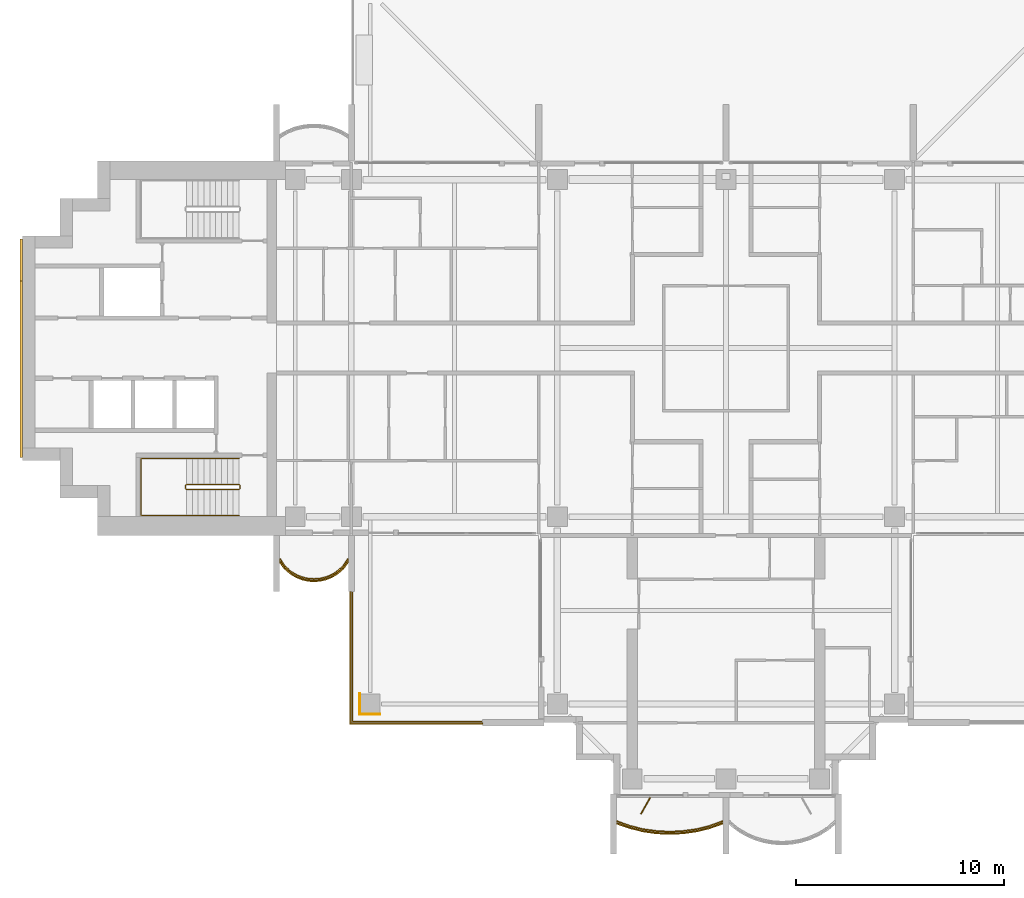
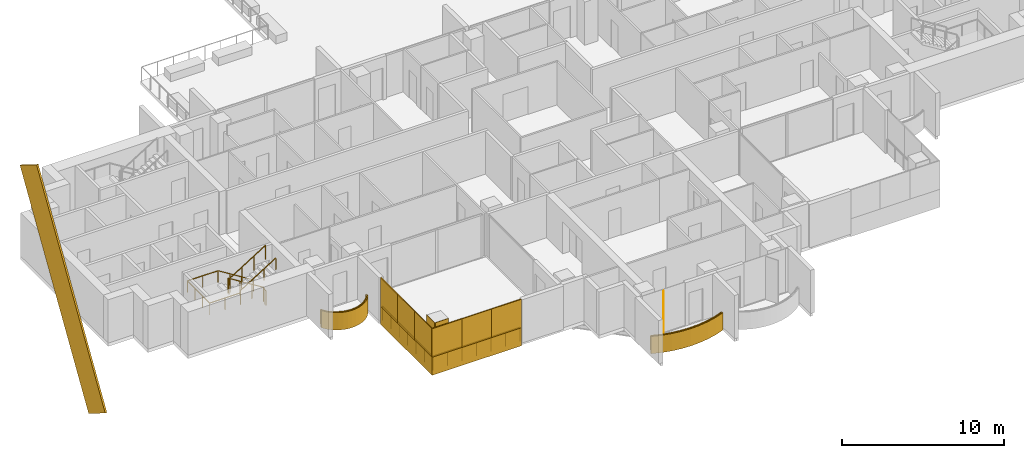
# One storey, part 15 of 18: 12 coverings, 5 railings, 1 shading device.
"""IFC4 building model written with IfcOpenShell, lengths in metres."""

import ifcopenshell
import ifcopenshell.guid

model = None  # the IFC model being written
_history = None  # IfcOwnerHistory: only IFC2X3 demands one
_inside = {}  # id of a spatial element -> (the spatial element, [elements in it])
_under = {}  # id of a project, library or spatial element -> (it, [spatial elements below it])
_declared = {}  # id of a project -> (the project, [libraries it declares])
_typed = {}  # id of a type object -> (the type object, [elements of that type])
_made_of = {}  # id of a material, layer set ... -> (it, [elements and type objects made of it])


def new_model(schema):
    """Start an empty IFC model of exactly this schema.

    Asked for "IFC4X3", IfcOpenShell would pick the latest addendum, in which some entities
    have other attributes; the version numbers below select the first issue.
    IFC2X3 requires an IfcOwnerHistory on every rooted entity: one is made here for all.
    """
    global model, _history
    if schema == "IFC4X3":
        model = ifcopenshell.file(schema_version=(4, 3, 0, 0))
    else:
        model = ifcopenshell.file(schema=schema)
    _inside.clear()
    _under.clear()
    _declared.clear()
    _typed.clear()
    _made_of.clear()
    _history = None
    if model.schema == "IFC2X3":
        org = make("IfcOrganization", Name="unknown")
        user = make(
            "IfcPersonAndOrganization",
            ThePerson=make("IfcPerson", FamilyName="unknown"),
            TheOrganization=org,
        )
        app = make(
            "IfcApplication",
            ApplicationDeveloper=org,
            Version="unknown",
            ApplicationFullName="unknown",
            ApplicationIdentifier="unknown",
        )
        _history = make(
            "IfcOwnerHistory",
            OwningUser=user,
            OwningApplication=app,
            ChangeAction="ADDED",
            CreationDate=0,
        )
    return model


def make(cls, **values):
    """One entity of the class cls with the attributes given. An attribute that is None is left unset."""
    return model.create_entity(
        cls, **{name: value for name, value in values.items() if value is not None}
    )


def rooted(cls, **values):
    """An entity with a GlobalId (a new one), such as an element, a storey or a relation."""
    return make(cls, GlobalId=ifcopenshell.guid.new(), OwnerHistory=_history, **values)


def si_unit(unit_type, name, prefix=None):
    """IfcSIUnit, for example si_unit("LENGTHUNIT", "METRE", prefix="MILLI")."""
    return make("IfcSIUnit", UnitType=unit_type, Prefix=prefix, Name=name)


def assignment(units):
    """IfcUnitAssignment: the units of a project."""
    return None if units is None else make("IfcUnitAssignment", Units=units)


def point(xyz):
    """IfcCartesianPoint."""
    return None if xyz is None else make("IfcCartesianPoint", Coordinates=xyz)


def direction(xyz):
    """IfcDirection."""
    return None if xyz is None else make("IfcDirection", DirectionRatios=xyz)


def frame(location, z_axis=None, x_axis=None):
    """IfcAxis2Placement3D, a coordinate frame: its origin and axes. An axis left out is left unset."""
    return make(
        "IfcAxis2Placement3D",
        Location=point(location),
        Axis=direction(z_axis),
        RefDirection=direction(x_axis),
    )


def frame_2d(location, x_axis=None):
    """IfcAxis2Placement2D, a coordinate frame in the plane: its origin and x axis."""
    return make(
        "IfcAxis2Placement2D", Location=point(location), RefDirection=direction(x_axis)
    )


def origin():
    """The frame at (0, 0, 0) with its axes left unset."""
    return frame((0.0, 0.0, 0.0))


def origin_2d():
    """The frame at (0, 0) in the plane with its x axis left unset."""
    return frame_2d((0.0, 0.0))


def place(relative_to, where):
    """IfcLocalPlacement: puts the frame where relative to a parent placement (None: the world)."""
    return make(
        "IfcLocalPlacement", PlacementRelTo=relative_to, RelativePlacement=where
    )


def context(
    kind, dimensions, precision=None, world=None, true_north=None, identifier=None
):
    """IfcGeometricRepresentationContext, for example the 3D "Model" context."""
    return make(
        "IfcGeometricRepresentationContext",
        ContextIdentifier=identifier,
        ContextType=kind,
        CoordinateSpaceDimension=dimensions,
        Precision=precision,
        WorldCoordinateSystem=world,
        TrueNorth=true_north,
    )


def subcontext(parent, identifier, kind, view, scale=None):
    """IfcGeometricRepresentationSubContext, for example "Body" below "Model"."""
    return make(
        "IfcGeometricRepresentationSubContext",
        ContextIdentifier=identifier,
        ContextType=kind,
        ParentContext=parent,
        TargetScale=scale,
        TargetView=view,
    )


def project(units=None, contexts=None):
    """IfcProject with its units and contexts."""
    return rooted(
        "IfcProject",
        Name="project",
        RepresentationContexts=contexts,
        UnitsInContext=assignment(units),
    )


def spatial(cls, under=None, at=None, **own):
    """A site, building, storey or space (cls), placed at a placement, below another one or the project."""
    s = rooted(cls, ObjectPlacement=at, **own)
    if under is not None:
        _under.setdefault(under.id(), (under, []))[1].append(s)
    return s


def polyline(points):
    """IfcPolyline through the points."""
    return make("IfcPolyline", Points=[point(p) for p in points])


def profile(cls, at=None, kind="AREA", **sizes):
    """A parametric profile (cls). Its sizes go by their IFC names, for example OverallWidth=200.0."""
    return make(cls, ProfileType=kind, Position=at, **sizes)


def rectangle(**sizes):
    """IfcRectangleProfileDef."""
    return profile("IfcRectangleProfileDef", **sizes)


def outline(outer, holes=None, kind="AREA"):
    """IfcArbitraryClosedProfileDef: a profile drawn as a closed curve; with holes, ...WithVoids."""
    if holes is None:
        return make("IfcArbitraryClosedProfileDef", ProfileType=kind, OuterCurve=outer)
    return make(
        "IfcArbitraryProfileDefWithVoids",
        ProfileType=kind,
        OuterCurve=outer,
        InnerCurves=holes,
    )


def extrude(swept, where, along, depth):
    """IfcExtrudedAreaSolid: the profile swept, set in the frame where, extruded along a direction by depth."""
    return make(
        "IfcExtrudedAreaSolid",
        SweptArea=swept,
        Position=where,
        ExtrudedDirection=direction(along),
        Depth=depth,
    )


def shape(context_of_items, identifier, shape_type, items):
    """IfcShapeRepresentation: the items that make up one representation, for example the "Body"."""
    return make(
        "IfcShapeRepresentation",
        ContextOfItems=context_of_items,
        RepresentationIdentifier=identifier,
        RepresentationType=shape_type,
        Items=items,
    )


def material(Name=None, Category=None):
    """IfcMaterial."""
    return make("IfcMaterial", Name=Name, Category=Category)


def layer(
    of_material, thickness, ventilated=None, Name=None, Category=None, Priority=None
):
    """IfcMaterialLayer: one layer of a wall or slab, of a material (None: an air gap)."""
    return make(
        "IfcMaterialLayer",
        Material=of_material,
        LayerThickness=thickness,
        IsVentilated=ventilated,
        Name=Name,
        Category=Category,
        Priority=Priority,
    )


def layer_set(layers, Name=None):
    """IfcMaterialLayerSet."""
    return make("IfcMaterialLayerSet", MaterialLayers=layers, LayerSetName=Name)


def material_profile(
    of_material, cross_section, Name=None, Category=None, Priority=None
):
    """IfcMaterialProfile: a cross section and its material."""
    return make(
        "IfcMaterialProfile",
        Name=Name,
        Material=of_material,
        Profile=cross_section,
        Priority=Priority,
        Category=Category,
    )


def profile_set(profiles, Name=None, composite=None):
    """IfcMaterialProfileSet."""
    return make(
        "IfcMaterialProfileSet",
        Name=Name,
        MaterialProfiles=profiles,
        CompositeProfile=composite,
    )


def made_of(thing, what):
    """Note that an element or type object is made of a material, layer set ...; save() writes the relation."""
    if what is not None:
        _made_of.setdefault(what.id(), (what, []))[1].append(thing)
    return thing


def type_object(cls, material=None, **own):
    """A type object (cls), such as IfcWallType, which elements share."""
    return made_of(rooted(cls, **own), material)


def element(
    cls,
    number,
    at=None,
    inside=None,
    cuts=None,
    type_object=None,
    material=None,
    context=None,
    identifier="Body",
    shape_type=None,
    held_by="IfcProductDefinitionShape",
    body=None,
    shapes=None,
    **own,
):
    """One element of the class cls, such as IfcWall. Its Tag is "e" and its number.

    at: its placement. inside: the storey or other place that contains it. cuts: it is an
    opening in that element (IfcRelVoidsElement). A single representation is given by context,
    identifier, shape_type and body (its items); several are given by shapes. held_by: the class
    of the entity that holds the representations. save() writes the other relations.
    """
    e = rooted(cls, Tag="e%d" % number, ObjectPlacement=at, **own)
    if body is not None:
        shapes = [shape(context, identifier, shape_type, body)]
    if shapes is not None:
        e.Representation = make(held_by, Representations=shapes)
    if inside is not None:
        _inside.setdefault(inside.id(), (inside, []))[1].append(e)
    if cuts is not None:
        rooted(
            "IfcRelVoidsElement", RelatingBuildingElement=cuts, RelatedOpeningElement=e
        )
    if type_object is not None:
        _typed.setdefault(type_object.id(), (type_object, []))[1].append(e)
    return made_of(e, material)


def aggregate(whole, parts):
    """IfcRelAggregates: a whole, such as a stair, and the parts it consists of."""
    return rooted("IfcRelAggregates", RelatingObject=whole, RelatedObjects=parts)


def save(model, path):
    """Write the relations noted so far, then the file.

    IfcRelAggregates (storeys below a building ...), IfcRelContainedInSpatialStructure (elements
    in a storey), IfcRelDefinesByType, IfcRelAssociatesMaterial and IfcRelDeclares: one each for
    every whole, place, type object, material and project.
    """
    for whole, parts in _under.values():
        aggregate(whole, parts)
    for where, things in _inside.values():
        rooted(
            "IfcRelContainedInSpatialStructure",
            RelatedElements=things,
            RelatingStructure=where,
        )
    for kind, things in _typed.values():
        rooted("IfcRelDefinesByType", RelatedObjects=things, RelatingType=kind)
    for what, things in _made_of.values():
        rooted("IfcRelAssociatesMaterial", RelatedObjects=things, RelatingMaterial=what)
    for by, libraries in _declared.values():
        rooted("IfcRelDeclares", RelatingContext=by, RelatedDefinitions=libraries)
    model.write(path)


model = new_model("IFC4")

# Units and contexts
model_context = context("Model", 3, precision=1e-05, world=origin(), true_north=direction((0.0, 1.0)))
body_context = subcontext(model_context, "Body", "Model", "MODEL_VIEW")
ifc_project = project(units=[si_unit("LENGTHUNIT", "METRE"), si_unit("AREAUNIT", "SQUARE_METRE"), si_unit("VOLUMEUNIT", "CUBIC_METRE"), si_unit("PLANEANGLEUNIT", "RADIAN"), si_unit("MASSUNIT", "GRAM", prefix="KILO")], contexts=[model_context])

# Site, building, storey
site_placement = place(None, origin())
site = spatial("IfcSite", under=ifc_project, at=site_placement, CompositionType="ELEMENT")
building_placement = place(site_placement, origin())
building = spatial("IfcBuilding", under=site, at=building_placement, Name="Perihelion Cross Residences", CompositionType="ELEMENT")
storey_placement = place(building_placement, frame((0.0, 0.0, 166.60009765625)))
storey = spatial("IfcBuildingStorey", under=building, at=storey_placement, Name="L40", CompositionType="ELEMENT", Elevation=166.60009765625)

# Coverings
ifc_material_1 = material(Name="Bronze anodised aluminium", Category="aluminium")
ifc_layer_1 = layer(ifc_material_1, 0.070068359375)
ifc_layer_set_1 = layer_set([ifc_layer_1], Name="Balcony fascia 1300")
covering_type_1 = type_object("IfcCoveringType", Name="Balcony fascia 1300", PredefinedType="CLADDING", material=ifc_layer_set_1)
covering_1_placement = place(storey_placement, frame((0.0, 0.0, -0.2001953125)))
element("IfcCovering", 1, at=covering_1_placement, inside=storey, type_object=covering_type_1, Name="Fascia BF1 L40 west side south bay 1", PredefinedType="CLADDING", context=body_context, shape_type="SweptSolid", body=[
    extrude(outline(polyline([(-21.226318359375, -10.616455078125), (-20.94091796875, -10.86328125), (-20.655517578125, -11.031494140625), (-20.370361328125, -11.142578125), (-20.085205078125, -11.206298828125), (-19.800048828125, -11.22705078125), (-19.514892578125, -11.206298828125), (-19.229736328125, -11.142578125), (-18.9443359375, -11.031494140625), (-18.6591796875, -10.86328125), (-18.373779296875, -10.616455078125), (-18.14990234375, -10.31689453125), (-18.14990234375, -10.199951171875), (-18.425048828125, -10.568603515625), (-18.699951171875, -10.806396484375), (-18.97509765625, -10.96875), (-19.25, -11.07568359375), (-19.52490234375, -11.136962890625), (-19.800048828125, -11.156982421875), (-20.074951171875, -11.136962890625), (-20.35009765625, -11.07568359375), (-20.625, -10.96875), (-20.89990234375, -10.806396484375), (-21.175048828125, -10.568603515625), (-21.449951171875, -10.199951171875), (-21.449951171875, -10.31689453125), (-21.226318359375, -10.616455078125)])), origin(), (0.0, 0.0, 1.0), 1.300048828125),
])
covering_2_placement = place(storey_placement, frame((0.0, 0.0, -0.2001953125)))
element("IfcCovering", 2, at=covering_2_placement, inside=storey, type_object=covering_type_1, Name="Fascia BF1 L40 south tip south bay 1", PredefinedType="CLADDING", context=body_context, shape_type="SweptSolid", body=[
    extrude(outline(polyline([(-4.63232421875, -23.090576171875), (-3.98828125, -23.247314453125), (-3.34423828125, -23.339599609375), (-2.699951171875, -23.3701171875), (-2.055908203125, -23.339599609375), (-1.411865234375, -23.247314453125), (-0.767578125, -23.090576171875), (-0.14990234375, -22.874267578125), (-0.14990234375, -22.800048828125), (-0.78759765625, -23.0234375), (-1.425048828125, -23.178466796875), (-2.0625, -23.269775390625), (-2.699951171875, -23.300048828125), (-3.33740234375, -23.269775390625), (-3.97509765625, -23.178466796875), (-4.612548828125, -23.0234375), (-5.25, -22.800048828125), (-5.25, -22.874267578125), (-4.63232421875, -23.090576171875)])), origin(), (0.0, 0.0, 1.0), 1.300048828125),
])

# Railings
ifc_material_2 = material(Name="Bronze anodised aluminium", Category="aluminium")
railing_type_1 = type_object("IfcRailingType", Name="Balcony guard 1100", PredefinedType="GUARDRAIL", material=ifc_material_2)
railing_1_placement = place(storey_placement, frame((-21.425048828125, -10.139892578125, 0.0)))
element("IfcRailing", 3, at=railing_1_placement, inside=storey, type_object=railing_type_1, Name="Guard GU1 L40 west side south bay 1 balcony", PredefinedType="GUARDRAIL", context=body_context, shape_type="SweptSolid", body=[
    extrude(rectangle(XDim=0.048095703125, YDim=0.048095703125, at=origin_2d()), frame((0.0, 0.0, 1.076171875), z_axis=(0.561260132269, -0.827639452857, 0.0), x_axis=(0.827639452857, 0.561260132269, 0.0)), (0.0, 0.0, 1.0), 0.4453125),
    extrude(rectangle(XDim=0.048095703125, YDim=0.048095703125, at=origin_2d()), frame((0.25, -0.36865234375, 1.076171875), z_axis=(0.756596535164, -0.653882009982, 0.0), x_axis=(0.653882009982, 0.756596535164, 0.0)), (0.0, 0.0, 1.0), 0.36376953125),
    extrude(rectangle(XDim=0.048095703125, YDim=0.048095703125, at=origin_2d()), frame((0.525146484375, -0.6064453125, 1.076171875), z_axis=(0.861048292884, -0.508523192511, 0.0), x_axis=(0.508523192511, 0.861048292884, 0.0)), (0.0, 0.0, 1.0), 0.3193359375),
    extrude(rectangle(XDim=0.048095703125, YDim=0.048095703125, at=origin_2d()), frame((0.800048828125, -0.768798828125, 1.076171875), z_axis=(0.931973602183, -0.362526143656, 0.0), x_axis=(0.362526143656, 0.931973602183, 0.0)), (0.0, 0.0, 1.0), 0.294921875),
    extrude(rectangle(XDim=0.048095703125, YDim=0.048095703125, at=origin_2d()), frame((1.074951171875, -0.875732421875, 1.076171875), z_axis=(0.976085059389, -0.21738895289, 0.0), x_axis=(0.21738895289, 0.976085059389, 0.0)), (0.0, 0.0, 1.0), 0.281982421875),
    extrude(rectangle(XDim=0.048095703125, YDim=0.048095703125, at=origin_2d()), frame((1.35009765625, -0.93701171875, 1.076171875), z_axis=(0.997358821833, -0.072631814734, 0.0), x_axis=(0.072631814734, 0.997358821833, 0.0)), (0.0, 0.0, 1.0), 0.275634765625),
    extrude(rectangle(XDim=0.048095703125, YDim=0.048095703125, at=origin_2d()), frame((1.625, -0.95703125, 1.076171875), z_axis=(0.997363488337, 0.072567707226, 0.0), x_axis=(-0.072567707226, 0.997363488337, 0.0)), (0.0, 0.0, 1.0), 0.27587890625),
    extrude(rectangle(XDim=0.048095703125, YDim=0.048095703125, at=origin_2d()), frame((1.900146484375, -0.93701171875, 1.076171875), z_axis=(0.976044077717, 0.217572880557, 0.0), x_axis=(-0.217572880557, 0.976044077717, 0.0)), (0.0, 0.0, 1.0), 0.28173828125),
    extrude(rectangle(XDim=0.048095703125, YDim=0.048095703125, at=origin_2d()), frame((2.175048828125, -0.875732421875, 1.076171875), z_axis=(0.931973602183, 0.362526143656, 0.0), x_axis=(-0.362526143656, 0.931973602183, 0.0)), (0.0, 0.0, 1.0), 0.294921875),
    extrude(rectangle(XDim=0.048095703125, YDim=0.048095703125, at=origin_2d()), frame((2.449951171875, -0.768798828125, 1.076171875), z_axis=(0.861245845072, 0.508188542123, 0.0), x_axis=(-0.508188542123, 0.861245845072, 0.0)), (0.0, 0.0, 1.0), 0.319580078125),
    extrude(rectangle(XDim=0.048095703125, YDim=0.048095703125, at=origin_2d()), frame((2.72509765625, -0.6064453125, 1.076171875), z_axis=(0.756309278473, 0.654214242658, 0.0), x_axis=(-0.654214242658, 0.756309278473, 0.0)), (0.0, 0.0, 1.0), 0.363525390625),
    extrude(rectangle(XDim=0.048095703125, YDim=0.048095703125, at=origin_2d()), frame((3.0, -0.36865234375, 1.076171875), z_axis=(0.561260132269, 0.827639452857, 0.0), x_axis=(-0.827639452857, 0.561260132269, 0.0)), (0.0, 0.0, 1.0), 0.4453125),
    extrude(rectangle(XDim=0.0419921875, YDim=0.0419921875, at=origin_2d()), origin(), (0.0, 0.0, 1.0), 1.052001953125),
    extrude(rectangle(XDim=0.0419921875, YDim=0.0419921875, at=origin_2d()), frame((0.25, -0.36865234375, 0.0)), (0.0, 0.0, 1.0), 1.052001953125),
    extrude(rectangle(XDim=0.0419921875, YDim=0.0419921875, at=origin_2d()), frame((0.525146484375, -0.6064453125, 0.0)), (0.0, 0.0, 1.0), 1.052001953125),
    extrude(rectangle(XDim=0.0419921875, YDim=0.0419921875, at=origin_2d()), frame((0.800048828125, -0.768798828125, 0.0)), (0.0, 0.0, 1.0), 1.052001953125),
    extrude(rectangle(XDim=0.0419921875, YDim=0.0419921875, at=origin_2d()), frame((1.074951171875, -0.875732421875, 0.0)), (0.0, 0.0, 1.0), 1.052001953125),
    extrude(rectangle(XDim=0.0419921875, YDim=0.0419921875, at=origin_2d()), frame((1.35009765625, -0.93701171875, 0.0)), (0.0, 0.0, 1.0), 1.052001953125),
    extrude(rectangle(XDim=0.0419921875, YDim=0.0419921875, at=origin_2d()), frame((1.625, -0.95703125, 0.0)), (0.0, 0.0, 1.0), 1.052001953125),
    extrude(rectangle(XDim=0.0419921875, YDim=0.0419921875, at=origin_2d()), frame((1.900146484375, -0.93701171875, 0.0)), (0.0, 0.0, 1.0), 1.052001953125),
    extrude(rectangle(XDim=0.0419921875, YDim=0.0419921875, at=origin_2d()), frame((2.175048828125, -0.875732421875, 0.0)), (0.0, 0.0, 1.0), 1.052001953125),
    extrude(rectangle(XDim=0.0419921875, YDim=0.0419921875, at=origin_2d()), frame((2.449951171875, -0.768798828125, 0.0)), (0.0, 0.0, 1.0), 1.052001953125),
    extrude(rectangle(XDim=0.0419921875, YDim=0.0419921875, at=origin_2d()), frame((2.72509765625, -0.6064453125, 0.0)), (0.0, 0.0, 1.0), 1.052001953125),
    extrude(rectangle(XDim=0.0419921875, YDim=0.0419921875, at=origin_2d()), frame((3.0, -0.36865234375, 0.0)), (0.0, 0.0, 1.0), 1.052001953125),
    extrude(rectangle(XDim=0.0419921875, YDim=0.0419921875, at=origin_2d()), frame((3.25, 0.0, 0.0)), (0.0, 0.0, 1.0), 1.052001953125),
])
railing_2_placement = place(storey_placement, frame((-5.22509765625, -22.739990234375, 0.0)))
element("IfcRailing", 4, at=railing_2_placement, inside=storey, type_object=railing_type_1, Name="Guard GU1 L40 south tip south bay 1 balcony", PredefinedType="GUARDRAIL", context=body_context, shape_type="SweptSolid", body=[
    extrude(rectangle(XDim=0.048095703125, YDim=0.048095703125, at=origin_2d()), frame((0.0, 0.0, 1.076171875), z_axis=(0.939355405384, -0.342945217749, 0.0), x_axis=(0.342945217749, 0.939355405384, 0.0)), (0.0, 0.0, 1.0), 0.652099609375),
    extrude(rectangle(XDim=0.048095703125, YDim=0.048095703125, at=origin_2d()), frame((0.612548828125, -0.2236328125, 1.076171875), z_axis=(0.971676841941, -0.236313594268, 0.0), x_axis=(0.236313594268, 0.971676841941, 0.0)), (0.0, 0.0, 1.0), 0.656005859375),
    extrude(rectangle(XDim=0.048095703125, YDim=0.048095703125, at=origin_2d()), frame((1.25, -0.378662109375, 1.076171875), z_axis=(0.989903964498, -0.141739694763, 0.0), x_axis=(0.141739694763, 0.989903964498, 0.0)), (0.0, 0.0, 1.0), 0.644287109375),
    extrude(rectangle(XDim=0.048095703125, YDim=0.048095703125, at=origin_2d()), frame((1.8876953125, -0.469970703125, 1.076171875), z_axis=(0.998892243319, -0.04705620296, 0.0), x_axis=(0.04705620296, 0.998892243319, 0.0)), (0.0, 0.0, 1.0), 0.63818359375),
    extrude(rectangle(XDim=0.048095703125, YDim=0.048095703125, at=origin_2d()), frame((2.525146484375, -0.5, 1.076171875), z_axis=(0.998892243319, 0.04705620296, 0.0), x_axis=(-0.04705620296, 0.998892243319, 0.0)), (0.0, 0.0, 1.0), 0.63818359375),
    extrude(rectangle(XDim=0.048095703125, YDim=0.048095703125, at=origin_2d()), frame((3.16259765625, -0.469970703125, 1.076171875), z_axis=(0.989896346386, 0.141792889142, 0.0), x_axis=(-0.141792889142, 0.989896346386, 0.0)), (0.0, 0.0, 1.0), 0.64404296875),
    extrude(rectangle(XDim=0.048095703125, YDim=0.048095703125, at=origin_2d()), frame((3.800048828125, -0.378662109375, 1.076171875), z_axis=(0.971676841941, 0.236313594268, 0.0), x_axis=(-0.236313594268, 0.971676841941, 0.0)), (0.0, 0.0, 1.0), 0.656005859375),
    extrude(rectangle(XDim=0.048095703125, YDim=0.048095703125, at=origin_2d()), frame((4.4375, -0.2236328125, 1.076171875), z_axis=(0.939355405384, 0.342945217749, 0.0), x_axis=(-0.342945217749, 0.939355405384, 0.0)), (0.0, 0.0, 1.0), 0.652099609375),
    extrude(rectangle(XDim=0.0419921875, YDim=0.0419921875, at=origin_2d()), origin(), (0.0, 0.0, 1.0), 1.052001953125),
    extrude(rectangle(XDim=0.0419921875, YDim=0.0419921875, at=origin_2d()), frame((0.612548828125, -0.2236328125, 0.0)), (0.0, 0.0, 1.0), 1.052001953125),
    extrude(rectangle(XDim=0.0419921875, YDim=0.0419921875, at=origin_2d()), frame((1.25, -0.378662109375, 0.0)), (0.0, 0.0, 1.0), 1.052001953125),
    extrude(rectangle(XDim=0.0419921875, YDim=0.0419921875, at=origin_2d()), frame((1.8876953125, -0.469970703125, 0.0)), (0.0, 0.0, 1.0), 1.052001953125),
    extrude(rectangle(XDim=0.0419921875, YDim=0.0419921875, at=origin_2d()), frame((2.525146484375, -0.5, 0.0)), (0.0, 0.0, 1.0), 1.052001953125),
    extrude(rectangle(XDim=0.0419921875, YDim=0.0419921875, at=origin_2d()), frame((3.16259765625, -0.469970703125, 0.0)), (0.0, 0.0, 1.0), 1.052001953125),
    extrude(rectangle(XDim=0.0419921875, YDim=0.0419921875, at=origin_2d()), frame((3.800048828125, -0.378662109375, 0.0)), (0.0, 0.0, 1.0), 1.052001953125),
    extrude(rectangle(XDim=0.0419921875, YDim=0.0419921875, at=origin_2d()), frame((4.4375, -0.2236328125, 0.0)), (0.0, 0.0, 1.0), 1.052001953125),
    extrude(rectangle(XDim=0.0419921875, YDim=0.0419921875, at=origin_2d()), frame((5.050048828125, 0.0, 0.0)), (0.0, 0.0, 1.0), 1.052001953125),
])
railing_3_placement = place(storey_placement, frame((-11.739990234375, -17.93994140625, 0.0)))
element("IfcRailing", 5, at=railing_3_placement, inside=storey, type_object=railing_type_1, Name="Guard GU1 L40 pocket south-west 1", PredefinedType="GUARDRAIL", context=body_context, shape_type="SweptSolid", body=[
    extrude(rectangle(XDim=0.048095703125, YDim=0.048095703125, at=origin_2d()), frame((0.0, 0.0, 1.076171875), z_axis=(-1.0, 0.0, 0.0), x_axis=(0.0, -1.0, 0.0)), (0.0, 0.0, 1.0), 6.199951171875),
    extrude(rectangle(XDim=0.048095703125, YDim=0.048095703125, at=origin_2d()), frame((-6.199951171875, 0.0, 1.076171875), z_axis=(0.0, 1.0, 0.0), x_axis=(-1.0, 0.0, 0.0)), (0.0, 0.0, 1.0), 6.199951171875),
    extrude(rectangle(XDim=0.0419921875, YDim=0.0419921875, at=origin_2d()), origin(), (0.0, 0.0, 1.0), 1.052001953125),
    extrude(rectangle(XDim=0.0419921875, YDim=0.0419921875, at=origin_2d()), frame((-1.033203125, 0.0, 0.0)), (0.0, 0.0, 1.0), 1.052001953125),
    extrude(rectangle(XDim=0.0419921875, YDim=0.0419921875, at=origin_2d()), frame((-2.066650390625, 0.0, 0.0)), (0.0, 0.0, 1.0), 1.052001953125),
    extrude(rectangle(XDim=0.0419921875, YDim=0.0419921875, at=origin_2d()), frame((-3.10009765625, 0.0, 0.0)), (0.0, 0.0, 1.0), 1.052001953125),
    extrude(rectangle(XDim=0.0419921875, YDim=0.0419921875, at=origin_2d()), frame((-4.13330078125, 0.0, 0.0)), (0.0, 0.0, 1.0), 1.052001953125),
    extrude(rectangle(XDim=0.0419921875, YDim=0.0419921875, at=origin_2d()), frame((-5.16650390625, 0.0, 0.0)), (0.0, 0.0, 1.0), 1.052001953125),
    extrude(rectangle(XDim=0.0419921875, YDim=0.0419921875, at=origin_2d()), frame((-6.199951171875, 0.0, 0.0)), (0.0, 0.0, 1.0), 1.052001953125),
    extrude(rectangle(XDim=0.0419921875, YDim=0.0419921875, at=origin_2d()), frame((-6.199951171875, 1.033203125, 0.0)), (0.0, 0.0, 1.0), 1.052001953125),
    extrude(rectangle(XDim=0.0419921875, YDim=0.0419921875, at=origin_2d()), frame((-6.199951171875, 2.066650390625, 0.0)), (0.0, 0.0, 1.0), 1.052001953125),
    extrude(rectangle(XDim=0.0419921875, YDim=0.0419921875, at=origin_2d()), frame((-6.199951171875, 3.10009765625, 0.0)), (0.0, 0.0, 1.0), 1.052001953125),
    extrude(rectangle(XDim=0.0419921875, YDim=0.0419921875, at=origin_2d()), frame((-6.199951171875, 4.13330078125, 0.0)), (0.0, 0.0, 1.0), 1.052001953125),
    extrude(rectangle(XDim=0.0419921875, YDim=0.0419921875, at=origin_2d()), frame((-6.199951171875, 5.16650390625, 0.0)), (0.0, 0.0, 1.0), 1.052001953125),
    extrude(rectangle(XDim=0.0419921875, YDim=0.0419921875, at=origin_2d()), frame((-6.199951171875, 6.199951171875, 0.0)), (0.0, 0.0, 1.0), 1.052001953125),
])

# Coverings
ifc_material_3 = material(Name="Bronze anodised aluminium", Category="aluminium")
ifc_material_profile = material_profile(ifc_material_3, rectangle(XDim=0.125, YDim=2.39990234375, at=origin_2d()), Name="Bronze cladding band 2400")
ifc_profile_set = profile_set([ifc_material_profile], Name="Bronze anodised aluminium")
covering_type_2 = type_object("IfcCoveringType", Name="Bronze cladding band 2400", PredefinedType="CLADDING", material=ifc_profile_set)
covering_3_placement = place(storey_placement, frame((-33.862548828125, -4.232421875, -5.947509765625), z_axis=(0.0, 0.529931619435, 0.848040375644), x_axis=(-1.0, 0.0, 0.0)))
element("IfcCovering", 6, at=covering_3_placement, inside=storey, type_object=covering_type_2, Name="Core cladding band, west core", PredefinedType="CLADDING", context=body_context, shape_type="SweptSolid", body=[
    extrude(rectangle(XDim=0.125, YDim=2.39990234375, at=origin_2d()), origin(), (0.0, 0.0, 1.0), 15.973388671875),
])
ifc_material_4 = material(Name="Bronze anodised aluminium", Category="aluminium")
ifc_layer_2 = layer(ifc_material_4, 0.0400390625)
ifc_layer_set_2 = layer_set([ifc_layer_2], Name="Bronze column casing 40")
covering_type_3 = type_object("IfcCoveringType", Name="Bronze column casing 40", PredefinedType="CLADDING", material=ifc_layer_set_2)
covering_4_placement = place(storey_placement, frame((-17.594970703125, -17.10009765625, -0.25), z_axis=(0.0, 0.0, 1.0), x_axis=(1.0, 0.0, 0.0)))
element("IfcCovering", 7, at=covering_4_placement, inside=storey, type_object=covering_type_3, Name="Cladding CC1 L40 casing east-west no. 1", PredefinedType="CLADDING", context=body_context, shape_type="SweptSolid", body=[
    extrude(rectangle(XDim=0.0400390625, YDim=1.030029296875, at=origin_2d()), origin(), (0.0, 0.0, 1.0), 3.5),
])
covering_5_placement = place(storey_placement, frame((-17.10009765625, -17.594970703125, -0.25), z_axis=(0.0, 0.0, 1.0), x_axis=(1.0, 0.0, 0.0)))
element("IfcCovering", 8, at=covering_5_placement, inside=storey, type_object=covering_type_3, Name="Cladding CC1 L40 casing north-south no. 1", PredefinedType="CLADDING", context=body_context, shape_type="SweptSolid", body=[
    extrude(rectangle(XDim=0.949951171875, YDim=0.0400390625, at=origin_2d()), origin(), (0.0, 0.0, 1.0), 3.5),
])

# Shading device
ifc_material_5 = material(Name="Bronze anodised aluminium", Category="aluminium")
ifc_layer_3 = layer(ifc_material_5, 0.050048828125)
ifc_layer_set_3 = layer_set([ifc_layer_3], Name="Bronze fin 900")
shading_device_type = type_object("IfcShadingDeviceType", Name="Bronze fin 900", PredefinedType="USERDEFINED", material=ifc_layer_set_3)
shading_device_placement = place(storey_placement, frame((-3.862548828125, -21.98974609375, 0.0), z_axis=(0.0, 0.0, 1.0), x_axis=(-0.5, -0.866025403784, 0.0)))
element("IfcShadingDevice", 9, at=shading_device_placement, inside=storey, type_object=shading_device_type, Name="Fin FN1 L40 south tip south bay 1", ObjectType="FIN", PredefinedType="USERDEFINED", context=body_context, shape_type="SweptSolid", body=[
    extrude(rectangle(XDim=0.89990234375, YDim=0.050048828125, at=origin_2d()), origin(), (0.0, 0.0, 1.0), 3.25),
])

# Coverings
ifc_material_6 = material(Name="Bronze anodised aluminium", Category="aluminium")
ifc_layer_4 = layer(ifc_material_6, 0.070068359375)
ifc_layer_set_4 = layer_set([ifc_layer_4], Name="Pocket fascia 1350")
covering_type_4 = type_object("IfcCoveringType", Name="Pocket fascia 1350", PredefinedType="CLADDING", material=ifc_layer_set_4)
covering_6_placement = place(storey_placement, frame((0.0, 0.0, -0.25)))
element("IfcCovering", 10, at=covering_6_placement, inside=storey, type_object=covering_type_4, Name="Fascia BF2 L40 pocket south-west 1", PredefinedType="CLADDING", context=body_context, shape_type="SweptSolid", body=[
    extrude(outline(polyline([(-18.070068359375, -11.699951171875), (-18.070068359375, -18.070068359375), (-11.699951171875, -18.070068359375), (-11.699951171875, -18.0), (-18.0, -18.0), (-18.0, -11.699951171875), (-18.070068359375, -11.699951171875)])), origin(), (0.0, 0.0, 1.0), 1.349853515625),
])
ifc_material_7 = material(Name="Bronze perforated aluminium", Category="aluminium")
ifc_layer_5 = layer(ifc_material_7, 0.070068359375)
ifc_layer_set_5 = layer_set([ifc_layer_5], Name="Pocket solar screen, bronze perforated")
covering_type_5 = type_object("IfcCoveringType", Name="Pocket solar screen, bronze perforated", PredefinedType="CLADDING", material=ifc_layer_set_5)
covering_7_placement = place(storey_placement, frame((0.0, 0.0, 1.099853515625)))
element("IfcCovering", 11, at=covering_7_placement, inside=storey, type_object=covering_type_5, Name="Solar screen PS1 L40 pocket south-west no. 1", PredefinedType="CLADDING", context=body_context, shape_type="SweptSolid", body=[
    extrude(outline(polyline([(-18.0, -18.0), (-18.0, -15.89990234375), (-18.070068359375, -15.89990234375), (-18.070068359375, -18.0), (-18.0, -18.0)])), origin(), (0.0, 0.0, 1.0), 2.150146484375),
])
covering_8_placement = place(storey_placement, frame((0.0, 0.0, 1.099853515625)))
element("IfcCovering", 12, at=covering_8_placement, inside=storey, type_object=covering_type_5, Name="Solar screen PS1 L40 pocket south-west no. 2", PredefinedType="CLADDING", context=body_context, shape_type="SweptSolid", body=[
    extrude(outline(polyline([(-18.0, -15.89990234375), (-18.0, -13.800048828125), (-18.070068359375, -13.800048828125), (-18.070068359375, -15.89990234375), (-18.0, -15.89990234375)])), origin(), (0.0, 0.0, 1.0), 2.150146484375),
])
covering_9_placement = place(storey_placement, frame((0.0, 0.0, 1.099853515625)))
element("IfcCovering", 13, at=covering_9_placement, inside=storey, type_object=covering_type_5, Name="Solar screen PS1 L40 pocket south-west no. 3", PredefinedType="CLADDING", context=body_context, shape_type="SweptSolid", body=[
    extrude(outline(polyline([(-18.0, -13.800048828125), (-18.0, -11.699951171875), (-18.070068359375, -11.699951171875), (-18.070068359375, -13.800048828125), (-18.0, -13.800048828125)])), origin(), (0.0, 0.0, 1.0), 2.150146484375),
])
covering_10_placement = place(storey_placement, frame((0.0, 0.0, 1.099853515625)))
element("IfcCovering", 14, at=covering_10_placement, inside=storey, type_object=covering_type_5, Name="Solar screen PS1 L40 pocket south-west no. 4", PredefinedType="CLADDING", context=body_context, shape_type="SweptSolid", body=[
    extrude(outline(polyline([(-15.94677734375, -18.070068359375), (-15.94677734375, -18.0), (-18.070068359375, -18.0), (-18.070068359375, -18.070068359375), (-15.94677734375, -18.070068359375)])), origin(), (0.0, 0.0, 1.0), 2.150146484375),
])
covering_11_placement = place(storey_placement, frame((0.0, 0.0, 1.099853515625)))
element("IfcCovering", 15, at=covering_11_placement, inside=storey, type_object=covering_type_5, Name="Solar screen PS1 L40 pocket south-west no. 5", PredefinedType="CLADDING", context=body_context, shape_type="SweptSolid", body=[
    extrude(outline(polyline([(-13.8232421875, -18.070068359375), (-13.8232421875, -18.0), (-15.94677734375, -18.0), (-15.94677734375, -18.070068359375), (-13.8232421875, -18.070068359375)])), origin(), (0.0, 0.0, 1.0), 2.150146484375),
])
covering_12_placement = place(storey_placement, frame((0.0, 0.0, 1.099853515625)))
element("IfcCovering", 16, at=covering_12_placement, inside=storey, type_object=covering_type_5, Name="Solar screen PS1 L40 pocket south-west no. 6", PredefinedType="CLADDING", context=body_context, shape_type="SweptSolid", body=[
    extrude(outline(polyline([(-11.699951171875, -18.070068359375), (-11.699951171875, -18.0), (-13.8232421875, -18.0), (-13.8232421875, -18.070068359375), (-11.699951171875, -18.070068359375)])), origin(), (0.0, 0.0, 1.0), 2.150146484375),
])

# Railings
ifc_material_8 = material(Name="Stainless steel", Category="steel")
railing_type_2 = type_object("IfcRailingType", Name="Stair guard 1100", PredefinedType="GUARDRAIL", material=ifc_material_8)
railing_4_placement = place(storey_placement, frame((-23.35009765625, -6.75, 0.0)))
element("IfcRailing", 17, at=railing_4_placement, inside=storey, type_object=railing_type_2, Name="L40 ST-W2 stair guard 1", PredefinedType="GUARDRAIL", context=body_context, shape_type="SweptSolid", body=[
    extrude(rectangle(XDim=0.048095703125, YDim=0.048095703125, at=origin_2d()), frame((0.0, 0.0, 1.076171875), z_axis=(0.0, 1.0, 0.0), x_axis=(-1.0, 0.0, 0.0)), (0.0, 0.0, 1.0), 0.14990234375),
    extrude(rectangle(XDim=0.048095703125, YDim=0.048095703125, at=origin_2d()), frame((0.0, 0.14990234375, 1.076171875), z_axis=(-0.264179342666, 0.265474339444, 0.927217692888), x_axis=(-0.708833529934, -0.705375805398, 0.0)), (0.0, 0.0, 1.0), 0.1884765625),
    extrude(rectangle(XDim=0.048095703125, YDim=0.048095703125, at=origin_2d()), frame((-0.0498046875, 0.199951171875, 1.2509765625), z_axis=(-0.847970611238, 0.0, 0.530043245855), x_axis=(0.0, -1.0, 0.0)), (0.0, 0.0, 1.0), 2.971923828125),
    extrude(rectangle(XDim=0.048095703125, YDim=0.048095703125, at=origin_2d()), frame((-2.56982421875, 0.199951171875, 2.826171875), z_axis=(-0.707106781187, -0.707106781187, 0.0), x_axis=(0.707106781187, -0.707106781187, 0.0)), (0.0, 0.0, 1.0), 0.07080078125),
    extrude(rectangle(XDim=0.048095703125, YDim=0.048095703125, at=origin_2d()), frame((-2.619873046875, 0.14990234375, 2.826171875), z_axis=(0.0, -1.0, 0.0), x_axis=(1.0, 0.0, 0.0)), (0.0, 0.0, 1.0), 0.14990234375),
    extrude(rectangle(XDim=0.048095703125, YDim=0.048095703125, at=origin_2d()), frame((-2.619873046875, 0.0, 2.826171875), z_axis=(0.265383341853, -0.265383341853, 0.926899867156), x_axis=(0.707106781187, 0.707106781187, 0.0)), (0.0, 0.0, 1.0), 0.1884765625),
    extrude(rectangle(XDim=0.048095703125, YDim=0.048095703125, at=origin_2d()), frame((-2.56982421875, -0.050048828125, 3.0009765625), z_axis=(0.847970611238, 0.0, 0.530043245855), x_axis=(0.0, 1.0, 0.0)), (0.0, 0.0, 1.0), 2.971923828125),
    extrude(rectangle(XDim=0.0419921875, YDim=0.0419921875, at=origin_2d()), origin(), (0.0, 0.0, 1.0), 1.052001953125),
    extrude(rectangle(XDim=0.0419921875, YDim=0.0419921875, at=origin_2d()), frame((0.0, 0.14990234375, 0.0)), (0.0, 0.0, 1.0), 1.052001953125),
    extrude(rectangle(XDim=0.0419921875, YDim=0.0419921875, at=origin_2d()), frame((-0.0498046875, 0.199951171875, 0.1748046875)), (0.0, 0.0, 1.0), 1.052001953125),
    extrude(rectangle(XDim=0.0419921875, YDim=0.0419921875, at=origin_2d()), frame((-0.889892578125, 0.199951171875, 0.699951171875)), (0.0, 0.0, 1.0), 1.052001953125),
    extrude(rectangle(XDim=0.0419921875, YDim=0.0419921875, at=origin_2d()), frame((-1.729736328125, 0.199951171875, 1.224853515625)), (0.0, 0.0, 1.0), 1.052001953125),
    extrude(rectangle(XDim=0.0419921875, YDim=0.0419921875, at=origin_2d()), frame((-2.56982421875, 0.199951171875, 1.75)), (0.0, 0.0, 1.0), 1.052001953125),
    extrude(rectangle(XDim=0.0419921875, YDim=0.0419921875, at=origin_2d()), frame((-2.619873046875, 0.14990234375, 1.75)), (0.0, 0.0, 1.0), 1.052001953125),
    extrude(rectangle(XDim=0.0419921875, YDim=0.0419921875, at=origin_2d()), frame((-2.619873046875, 0.0, 1.75)), (0.0, 0.0, 1.0), 1.052001953125),
    extrude(rectangle(XDim=0.0419921875, YDim=0.0419921875, at=origin_2d()), frame((-2.56982421875, -0.050048828125, 1.9248046875)), (0.0, 0.0, 1.0), 1.052001953125),
    extrude(rectangle(XDim=0.0419921875, YDim=0.0419921875, at=origin_2d()), frame((-1.729736328125, -0.050048828125, 2.449951171875)), (0.0, 0.0, 1.0), 1.052001953125),
    extrude(rectangle(XDim=0.0419921875, YDim=0.0419921875, at=origin_2d()), frame((-0.889892578125, -0.050048828125, 2.974853515625)), (0.0, 0.0, 1.0), 1.052001953125),
    extrude(rectangle(XDim=0.0419921875, YDim=0.0419921875, at=origin_2d()), frame((-0.0498046875, -0.050048828125, 3.5)), (0.0, 0.0, 1.0), 1.052001953125),
])
ifc_material_9 = material(Name="Stainless steel", Category="steel")
railing_type_3 = type_object("IfcRailingType", Name="Stair handrail 900", PredefinedType="HANDRAIL", material=ifc_material_9)
railing_5_placement = place(storey_placement, frame((-23.39990234375, -5.300048828125, 0.1748046875)))
element("IfcRailing", 18, at=railing_5_placement, inside=storey, type_object=railing_type_3, Name="L40 ST-W2 stair handrail 1", PredefinedType="HANDRAIL", context=body_context, shape_type="SweptSolid", body=[
    extrude(rectangle(XDim=0.048095703125, YDim=0.048095703125, at=origin_2d()), frame((0.0, 0.0, 0.8759765625), z_axis=(-0.847970611238, 0.0, 0.530043245855), x_axis=(0.0, -1.0, 0.0)), (0.0, 0.0, 1.0), 2.971923828125),
    extrude(rectangle(XDim=0.048095703125, YDim=0.048095703125, at=origin_2d()), frame((-2.52001953125, 0.0, 2.451171875), z_axis=(-1.0, 0.0, 0.0), x_axis=(0.0, -1.0, 0.0)), (0.0, 0.0, 1.0), 2.18017578125),
    extrude(rectangle(XDim=0.048095703125, YDim=0.048095703125, at=origin_2d()), frame((-4.7001953125, 0.0, 2.451171875), z_axis=(0.0, -1.0, 0.0), x_axis=(1.0, 0.0, 0.0)), (0.0, 0.0, 1.0), 2.75),
    extrude(rectangle(XDim=0.048095703125, YDim=0.048095703125, at=origin_2d()), frame((-4.7001953125, -2.75, 2.451171875), z_axis=(1.0, 0.0, 0.0), x_axis=(0.0, 1.0, 0.0)), (0.0, 0.0, 1.0), 2.18017578125),
    extrude(rectangle(XDim=0.048095703125, YDim=0.048095703125, at=origin_2d()), frame((-2.52001953125, -2.75, 2.451171875), z_axis=(0.0, 0.0, 1.0), x_axis=(1.0, 0.0, 0.0)), (0.0, 0.0, 1.0), 0.1748046875),
    extrude(rectangle(XDim=0.048095703125, YDim=0.048095703125, at=origin_2d()), frame((-2.52001953125, -2.75, 2.6259765625), z_axis=(0.847970611238, 0.0, 0.530043245855), x_axis=(0.0, 1.0, 0.0)), (0.0, 0.0, 1.0), 2.971923828125),
    extrude(rectangle(XDim=0.0419921875, YDim=0.0419921875, at=origin_2d()), origin(), (0.0, 0.0, 1.0), 0.851806640625),
    extrude(rectangle(XDim=0.0419921875, YDim=0.0419921875, at=origin_2d()), frame((-0.840087890625, 0.0, 0.525146484375)), (0.0, 0.0, 1.0), 0.851806640625),
    extrude(rectangle(XDim=0.0419921875, YDim=0.0419921875, at=origin_2d()), frame((-1.679931640625, 0.0, 1.050048828125)), (0.0, 0.0, 1.0), 0.851806640625),
    extrude(rectangle(XDim=0.0419921875, YDim=0.0419921875, at=origin_2d()), frame((-2.52001953125, 0.0, 1.5751953125)), (0.0, 0.0, 1.0), 0.851806640625),
    extrude(rectangle(XDim=0.0419921875, YDim=0.0419921875, at=origin_2d()), frame((-3.610107421875, 0.0, 1.5751953125)), (0.0, 0.0, 1.0), 0.851806640625),
    extrude(rectangle(XDim=0.0419921875, YDim=0.0419921875, at=origin_2d()), frame((-4.7001953125, 0.0, 1.5751953125)), (0.0, 0.0, 1.0), 0.851806640625),
    extrude(rectangle(XDim=0.0419921875, YDim=0.0419921875, at=origin_2d()), frame((-4.7001953125, -0.916748046875, 1.5751953125)), (0.0, 0.0, 1.0), 0.851806640625),
    extrude(rectangle(XDim=0.0419921875, YDim=0.0419921875, at=origin_2d()), frame((-4.7001953125, -1.833251953125, 1.5751953125)), (0.0, 0.0, 1.0), 0.851806640625),
    extrude(rectangle(XDim=0.0419921875, YDim=0.0419921875, at=origin_2d()), frame((-4.7001953125, -2.75, 1.5751953125)), (0.0, 0.0, 1.0), 0.851806640625),
    extrude(rectangle(XDim=0.0419921875, YDim=0.0419921875, at=origin_2d()), frame((-3.610107421875, -2.75, 1.5751953125)), (0.0, 0.0, 1.0), 0.851806640625),
    extrude(rectangle(XDim=0.0419921875, YDim=0.0419921875, at=origin_2d()), frame((-2.52001953125, -2.75, 1.5751953125)), (0.0, 0.0, 1.0), 0.851806640625),
    extrude(rectangle(XDim=0.0419921875, YDim=0.0419921875, at=origin_2d()), frame((-2.52001953125, -2.75, 1.75)), (0.0, 0.0, 1.0), 0.851806640625),
    extrude(rectangle(XDim=0.0419921875, YDim=0.0419921875, at=origin_2d()), frame((-1.679931640625, -2.75, 2.275146484375)), (0.0, 0.0, 1.0), 0.851806640625),
    extrude(rectangle(XDim=0.0419921875, YDim=0.0419921875, at=origin_2d()), frame((-0.840087890625, -2.75, 2.800048828125)), (0.0, 0.0, 1.0), 0.851806640625),
    extrude(rectangle(XDim=0.0419921875, YDim=0.0419921875, at=origin_2d()), frame((0.0, -2.75, 3.3251953125)), (0.0, 0.0, 1.0), 0.851806640625),
])

save(model, "model.ifc")
